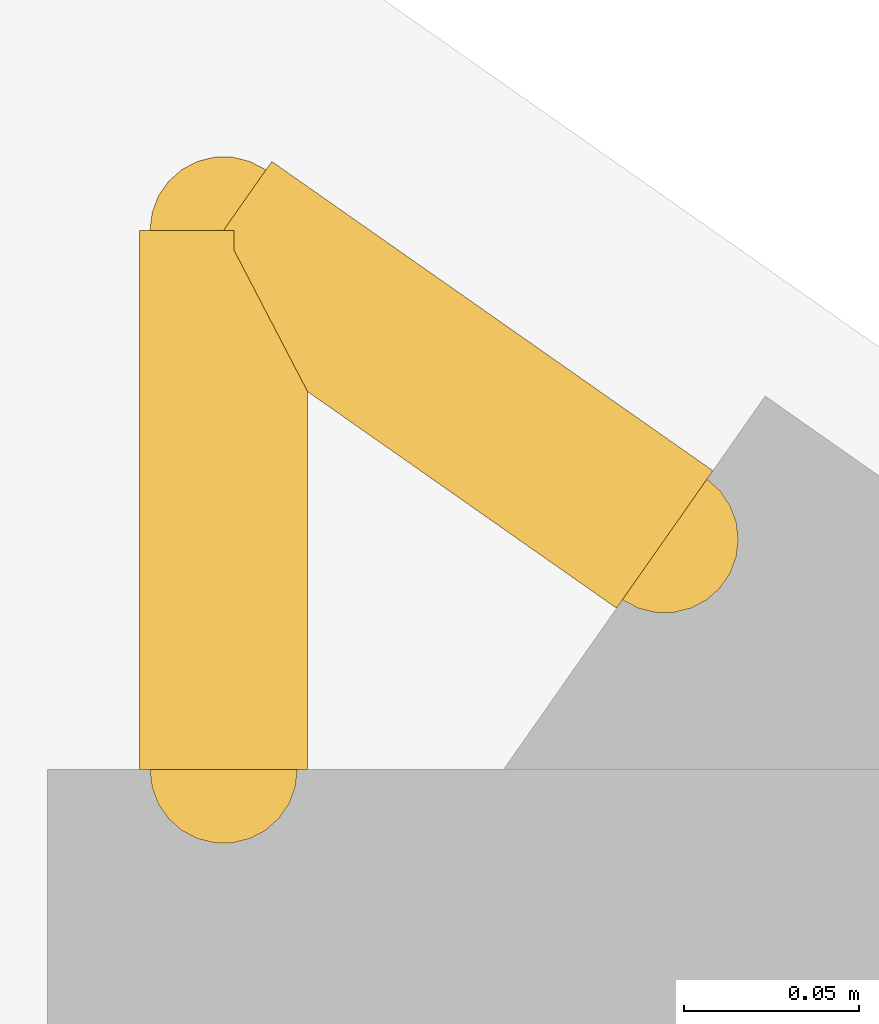
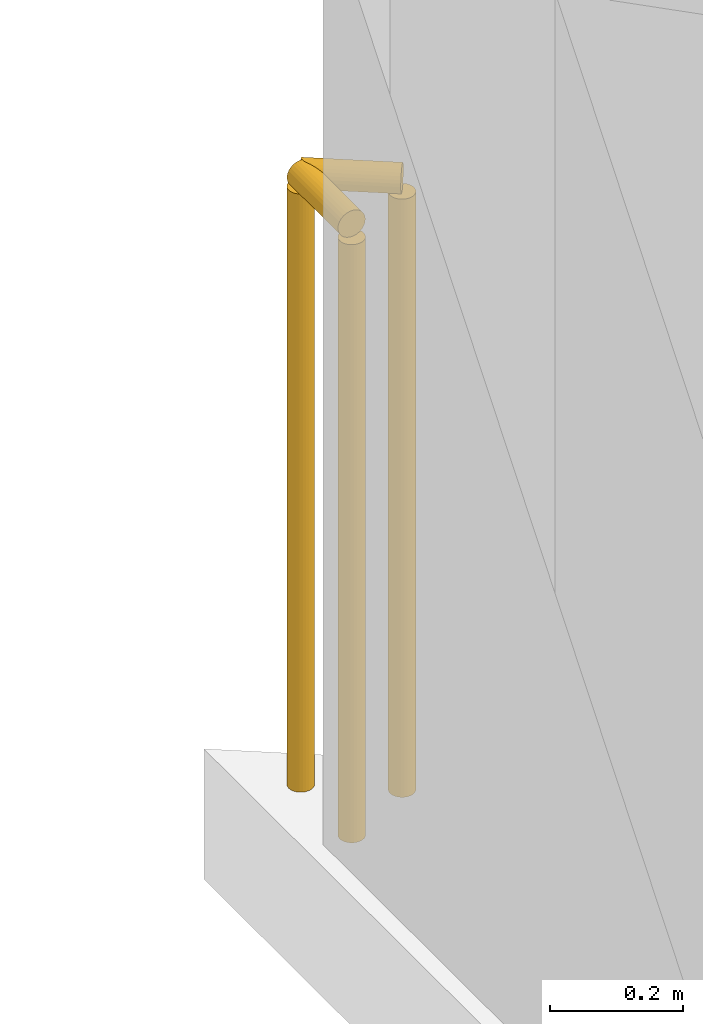
# One storey, part 15 of 15: 2 railings.
"""IFC4 building model written with IfcOpenShell, lengths in metres."""

from ifc_helpers import new_model, si_unit, direction, frame, origin, origin_2d, place, context, subcontext, project, spatial, circle, extrude, material, type_object, element, save


model = new_model("IFC4")

# Units and contexts
model_context = context("Model", 3, precision=1e-05, world=origin(), true_north=direction((0.0, 1.0)))
body_context = subcontext(model_context, "Body", "Model", "MODEL_VIEW")
ifc_project = project(units=[si_unit("LENGTHUNIT", "METRE"), si_unit("AREAUNIT", "SQUARE_METRE"), si_unit("VOLUMEUNIT", "CUBIC_METRE"), si_unit("PLANEANGLEUNIT", "RADIAN"), si_unit("MASSUNIT", "GRAM", prefix="KILO")], contexts=[model_context])

# Site, building, storey
site_placement = place(None, origin())
site = spatial("IfcSite", under=ifc_project, at=site_placement, CompositionType="ELEMENT")
building_placement = place(site_placement, origin())
building = spatial("IfcBuilding", under=site, at=building_placement, Name="Varnakote Quay Hospital", CompositionType="ELEMENT")
storey_placement = place(building_placement, frame((0.0, 0.0, 200.0)))
storey = spatial("IfcBuildingStorey", under=building, at=storey_placement, Name="L49", CompositionType="ELEMENT", Elevation=200.0)

# Railings
ifc_material = material(Name="Anodised aluminium 6063-T6 Bronze", Category="aluminium")
railing_type = type_object("IfcRailingType", Name="RLG-EXT-GUARD-1150", PredefinedType="GUARDRAIL", material=ifc_material)
railing_1_placement = place(storey_placement, frame((2.580078125, 42.492431640625, 0.0)))
element("IfcRailing", 1, at=railing_1_placement, inside=storey, type_object=railing_type, Name="L49 Slab Edge Perimeter Safety Guard", PredefinedType="GUARDRAIL", context=body_context, shape_type="SweptSolid", body=[
    extrude(circle(Radius=0.02392578125, at=origin_2d()), frame((0.0, 0.0, 1.1259765625), z_axis=(0.0, 1.0, 0.0), x_axis=(-1.0, 0.0, 0.0)), (0.0, 0.0, 1.0), 0.15380859375),
    extrude(circle(Radius=0.02099609375, at=origin_2d()), origin(), (0.0, 0.0, 1.0), 1.101806640625),
    extrude(circle(Radius=0.02099609375, at=origin_2d()), frame((0.0, 0.15380859375, 0.0)), (0.0, 0.0, 1.0), 1.101806640625),
])
railing_2_placement = place(storey_placement, frame((2.580078125, 42.646240234375, 0.0)))
element("IfcRailing", 2, at=railing_2_placement, inside=storey, type_object=railing_type, Name="L49 Slab Edge Perimeter Safety Guard", PredefinedType="GUARDRAIL", context=body_context, shape_type="SweptSolid", body=[
    extrude(circle(Radius=0.02392578125, at=origin_2d()), frame((0.0, 0.0, 1.1259765625), z_axis=(0.818858253068, -0.57399578516, 0.0), x_axis=(0.57399578516, 0.818858253068, 0.0)), (0.0, 0.0, 1.0), 0.153564453125),
    extrude(circle(Radius=0.02099609375, at=origin_2d()), origin(), (0.0, 0.0, 1.0), 1.101806640625),
    extrude(circle(Radius=0.02099609375, at=origin_2d()), frame((0.125732421875, -0.088134765625, 0.0)), (0.0, 0.0, 1.0), 1.101806640625),
])

save(model, "model.ifc")
